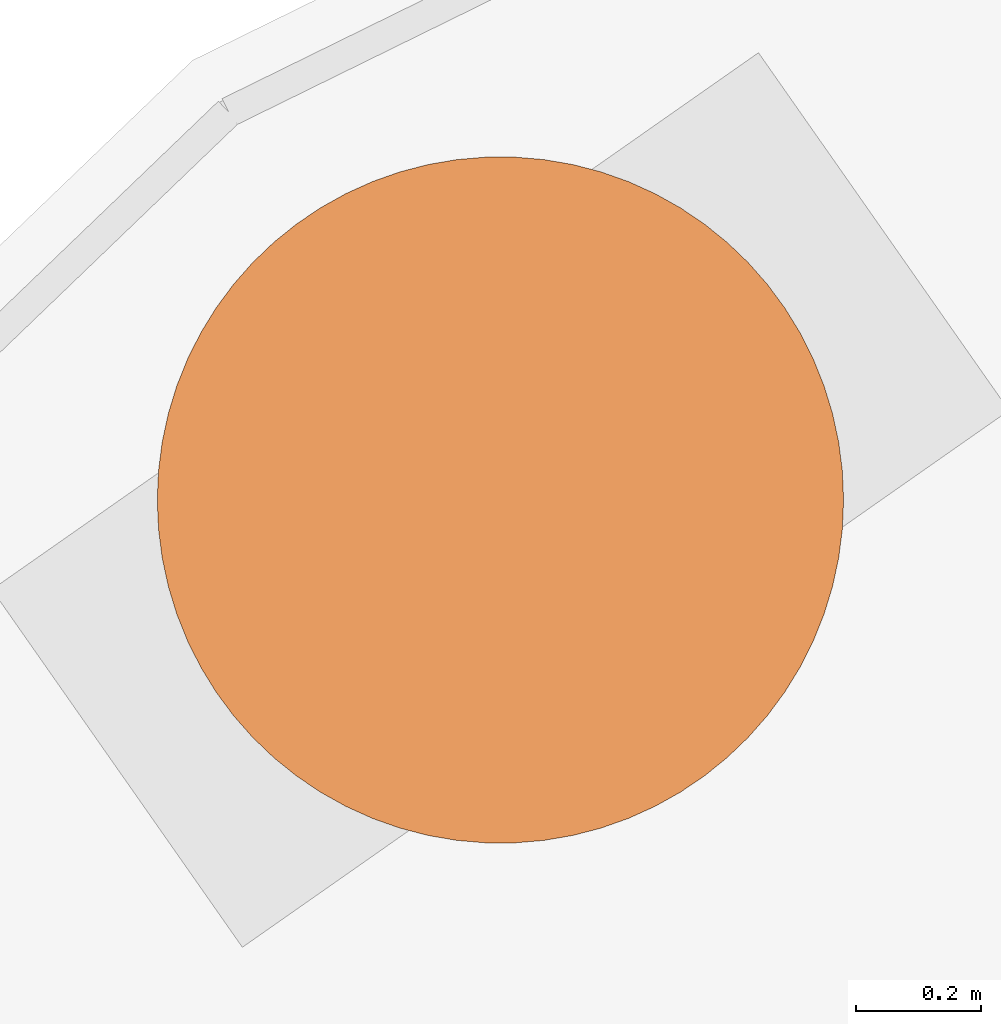
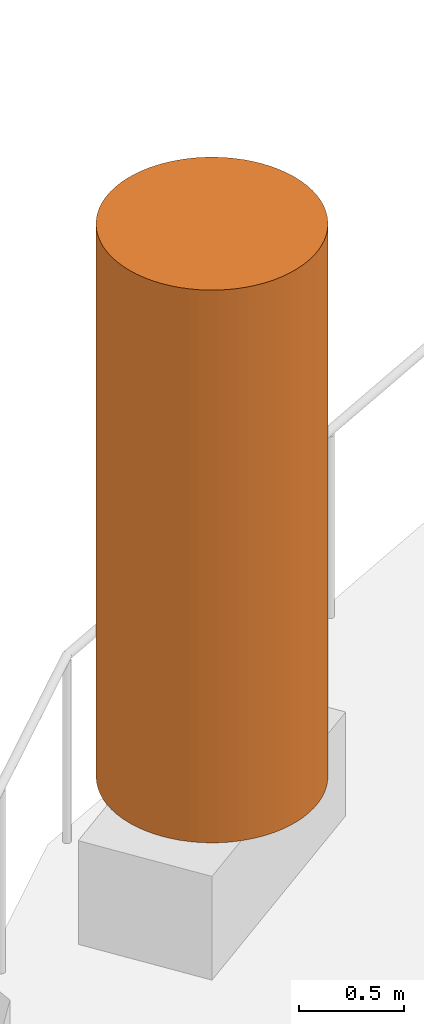
# One storey, part 14 of 14: 1 geographic element.
"""IFC4 building model written with IfcOpenShell, lengths in metres."""

from ifc_helpers import new_model, si_unit, direction, frame, origin, origin_2d, place, context, subcontext, project, spatial, circle, extrude, element, save


model = new_model("IFC4")

# Units and contexts
model_context = context("Model", 3, precision=1e-05, world=origin(), true_north=direction((0.0, 1.0)))
body_context = subcontext(model_context, "Body", "Model", "MODEL_VIEW")
ifc_project = project(units=[si_unit("LENGTHUNIT", "METRE"), si_unit("AREAUNIT", "SQUARE_METRE"), si_unit("VOLUMEUNIT", "CUBIC_METRE"), si_unit("PLANEANGLEUNIT", "RADIAN"), si_unit("MASSUNIT", "GRAM", prefix="KILO")], contexts=[model_context])

# Site, building, storey
site_placement = place(None, origin())
site = spatial("IfcSite", under=ifc_project, at=site_placement, CompositionType="ELEMENT")
building_placement = place(site_placement, origin())
building = spatial("IfcBuilding", under=site, at=building_placement, Name="Skarvind Civic Tower", CompositionType="ELEMENT")
storey_placement = place(building_placement, frame((0.0, 0.0, 105.0)))
storey = spatial("IfcBuildingStorey", under=building, at=storey_placement, Name="L24", CompositionType="ELEMENT", Elevation=105.0)

# Geographic element
geographic_element_placement = place(storey_placement, frame((40.187744140625, 136.30078125, 0.60009765625), z_axis=(0.0, 0.0, 1.0), x_axis=(1.0, 0.0, 0.0)))
element("IfcGeographicElement", 1, at=geographic_element_placement, inside=storey, Name="TERRACE TREE", ObjectType="TREE", PredefinedType="USERDEFINED", context=body_context, shape_type="SweptSolid", body=[
    extrude(circle(Radius=0.550048828125, at=origin_2d()), origin(), (0.0, 0.0, 1.0), 3.199951171875),
])

save(model, "model.ifc")
